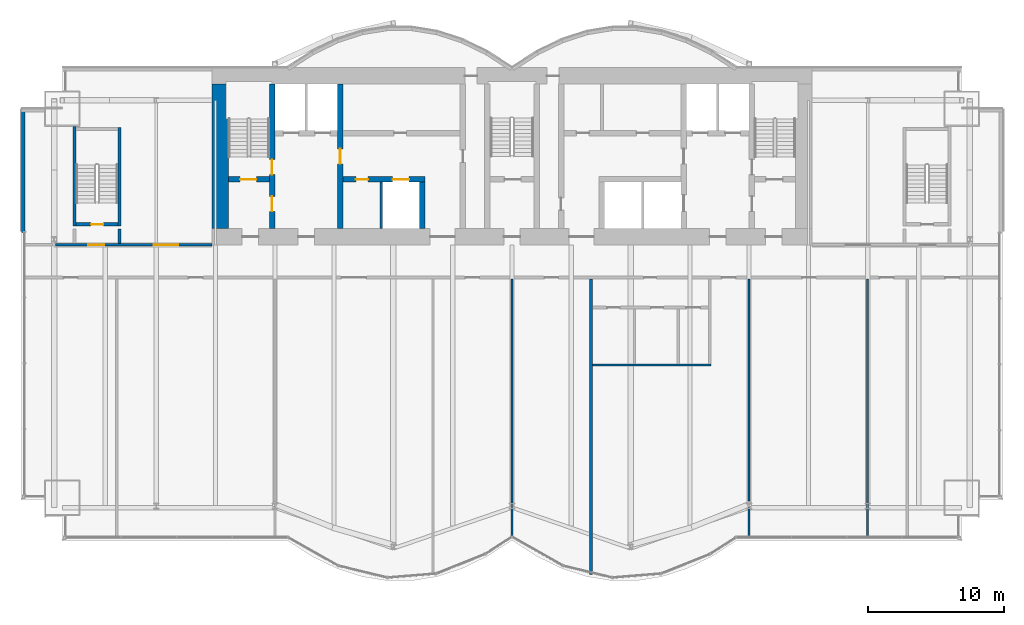
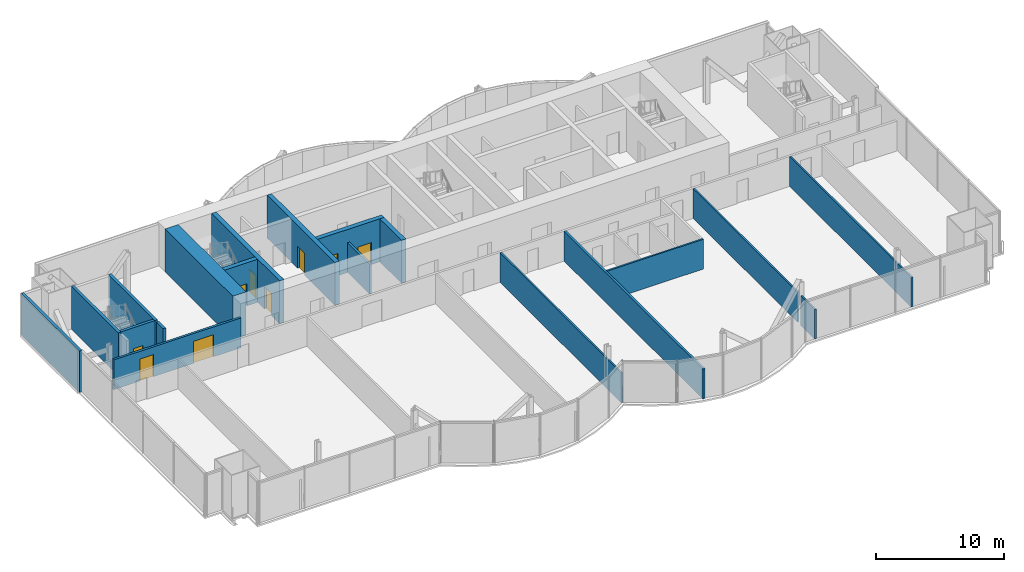
# One storey, part 15 of 21: 19 walls, 9 doors, 9 openings.
"""IFC4 building model written with IfcOpenShell, lengths in metres."""

from ifc_helpers import new_model, si_unit, direction, frame, frame_2d, origin, place, context, subcontext, project, spatial, rectangle, extrude, material, layer, layer_set, layer_usage, type_object, element, fill, save


model = new_model("IFC4")

# Units and contexts
model_context = context("Model", 3, precision=1e-05, world=origin(), true_north=direction((0.0, 1.0)))
body_context = subcontext(model_context, "Body", "Model", "MODEL_VIEW")
ifc_project = project(units=[si_unit("LENGTHUNIT", "METRE"), si_unit("AREAUNIT", "SQUARE_METRE"), si_unit("VOLUMEUNIT", "CUBIC_METRE"), si_unit("PLANEANGLEUNIT", "RADIAN"), si_unit("MASSUNIT", "GRAM", prefix="KILO")], contexts=[model_context])

# Site, building, storey
site_placement = place(None, origin())
site = spatial("IfcSite", under=ifc_project, at=site_placement, CompositionType="ELEMENT")
building_placement = place(site_placement, origin())
building = spatial("IfcBuilding", under=site, at=building_placement, Name="Bicima Exchange Tower", CompositionType="ELEMENT")
storey_placement = place(building_placement, frame((0.0, 0.0, 165.0)))
storey = spatial("IfcBuildingStorey", under=building, at=storey_placement, Name="L36", CompositionType="ELEMENT", Elevation=165.0)

# Wall
ifc_material_1 = material(Name="Gypsum board partition")
ifc_layer_1 = layer(ifc_material_1, 0.199951171875)
ifc_layer_set_1 = layer_set([ifc_layer_1], Name="Gypsum board partition")
wall_type_1 = type_object("IfcWallType", Name="Fire-rated gypsum partition 200 EI120", PredefinedType="PARTITIONING", material=ifc_layer_set_1)
wall_1_placement = place(storey_placement, frame((-9.60009765625, -11.800048828125, 0.0), z_axis=(0.0, 0.0, 1.0), x_axis=(0.0, 1.0, 0.0)))
element("IfcWall", 1, at=wall_1_placement, inside=storey, type_object=wall_type_1, Name="partition wall 11", PredefinedType="PARTITIONING", context=body_context, shape_type="SweptSolid", body=[
    extrude(rectangle(XDim=3.400146484375, YDim=0.199951171875, at=frame_2d((1.7001953125, 0.0))), origin(), (0.0, 0.0, 1.0), 2.84033203125),
])

# Wall, openings, doors
ifc_layer_2 = layer(ifc_material_1, 0.199951171875)
ifc_layer_set_2 = layer_set([ifc_layer_2], Name="Gypsum board partition")
wall_type_2 = type_object("IfcWallType", Name="Fire-rated gypsum partition 200 EI60", PredefinedType="PARTITIONING", material=ifc_layer_set_2)
wall_2_placement = place(storey_placement, frame((-33.47998046875, -13.0, 0.0), z_axis=(0.0, 0.0, 1.0), x_axis=(1.0, 0.0, 0.0)))
wall_2 = element("IfcWall", 2, at=wall_2_placement, inside=storey, type_object=wall_type_2, Name="partition wall 5", PredefinedType="PARTITIONING", context=body_context, shape_type="SweptSolid", body=[
    extrude(rectangle(XDim=11.47998046875, YDim=0.199951171875, at=frame_2d((5.739990234375, 0.0))), origin(), (0.0, 0.0, 1.0), 2.84033203125),
])
opening_1_placement = place(wall_2_placement, frame((2.3798828125, 0.0, 0.0)))
opening_1 = element("IfcOpeningElement", 3, at=opening_1_placement, cuts=wall_2, Name="Opening L36-001", PredefinedType="OPENING", context=body_context, shape_type="SweptSolid", body=[
    extrude(rectangle(XDim=1.199951171875, YDim=2.10009765625, at=frame_2d((0.60009765625, 1.050048828125))), frame((0.0, 0.11181640625, 0.0), z_axis=(0.0, -1.0, 0.0), x_axis=(1.0, 0.0, 0.0)), (0.0, 0.0, 1.0), 0.223876953125),
])
opening_2_placement = place(wall_2_placement, frame((7.179931640625, 0.0, 0.0)))
opening_2 = element("IfcOpeningElement", 4, at=opening_2_placement, cuts=wall_2, Name="Opening L36-005", PredefinedType="OPENING", context=body_context, shape_type="SweptSolid", body=[
    extrude(rectangle(XDim=1.800048828125, YDim=2.10009765625, at=frame_2d((0.89990234375, 1.050048828125))), frame((0.0, 0.11181640625, 0.0), z_axis=(0.0, -1.0, 0.0), x_axis=(1.0, 0.0, 0.0)), (0.0, 0.0, 1.0), 0.223876953125),
])
ifc_material_2 = material(Name="Steel fire door leaf", Category="steel")
door_type_1 = type_object("IfcDoorType", Name="Door 1200 swing FD30S", OperationType="SINGLE_SWING_LEFT", PredefinedType="DOOR", material=ifc_material_2)
door_1_placement = place(opening_1_placement, origin())
door_1 = element("IfcDoor", 5, at=door_1_placement, inside=storey, type_object=door_type_1, Name="Door", OperationType="SINGLE_SWING_LEFT", OverallHeight=2.10009765625, OverallWidth=1.199951171875, PredefinedType="DOOR", context=body_context, shape_type="SweptSolid", body=[
    extrude(rectangle(XDim=1.199951171875, YDim=2.10009765625, at=frame_2d((0.60009765625, 1.050048828125))), frame((0.0, 0.02490234375, 0.0), z_axis=(0.0, -1.0, 0.0), x_axis=(1.0, 0.0, 0.0)), (0.0, 0.0, 1.0), 0.050048828125),
])
fill(opening_1, door_1)
door_type_2 = type_object("IfcDoorType", Name="Door 1800 double swing FD30S", OperationType="DOUBLE_DOOR_SINGLE_SWING", PredefinedType="DOOR", material=ifc_material_2)
door_2_placement = place(opening_2_placement, origin())
door_2 = element("IfcDoor", 6, at=door_2_placement, inside=storey, type_object=door_type_2, Name="Door", OperationType="SINGLE_SWING_LEFT", OverallHeight=2.10009765625, OverallWidth=1.800048828125, PredefinedType="DOOR", context=body_context, shape_type="SweptSolid", body=[
    extrude(rectangle(XDim=1.800048828125, YDim=2.10009765625, at=frame_2d((0.89990234375, 1.050048828125))), frame((0.0, 0.02490234375, 0.0), z_axis=(0.0, -1.0, 0.0), x_axis=(1.0, 0.0, 0.0)), (0.0, 0.0, 1.0), 0.050048828125),
])
fill(opening_2, door_2)

# Walls
wall_3_placement = place(storey_placement, frame((5.800048828125, -37.179931640625, 0.0), z_axis=(0.0, 0.0, 1.0), x_axis=(0.0, 1.0, 0.0)))
element("IfcWall", 7, at=wall_3_placement, inside=storey, type_object=wall_type_2, Name="partition wall 19", PredefinedType="PARTITIONING", context=body_context, shape_type="SweptSolid", body=[
    extrude(rectangle(XDim=21.679931640625, YDim=0.199951171875, at=frame_2d((10.83984375, 0.0))), origin(), (0.0, 0.0, 1.0), 2.84033203125),
])
ifc_layer_3 = layer(ifc_material_1, 0.14990234375)
ifc_layer_set_3 = layer_set([ifc_layer_3], Name="Gypsum board partition")
wall_type_3 = type_object("IfcWallType", Name="Gypsum partition 150", PredefinedType="PARTITIONING", material=ifc_layer_set_3)
wall_4_placement = place(storey_placement, frame((5.89990234375, -21.800048828125, 0.0), z_axis=(0.0, 0.0, 1.0), x_axis=(1.0, 0.0, 0.0)))
element("IfcWall", 8, at=wall_4_placement, inside=storey, type_object=wall_type_3, Name="partition wall 1", PredefinedType="PARTITIONING", context=body_context, shape_type="SweptSolid", body=[
    extrude(rectangle(XDim=8.7001953125, YDim=0.14990234375, at=frame_2d((4.35009765625, 0.0))), origin(), (0.0, 0.0, 1.0), 2.84033203125),
])
wall_5_placement = place(storey_placement, frame((0.0, -34.429931640625, 0.0), z_axis=(0.0, 0.0, 1.0), x_axis=(0.0, 1.0, 0.0)))
element("IfcWall", 9, at=wall_5_placement, inside=storey, type_object=wall_type_3, Name="partition wall 18", PredefinedType="PARTITIONING", context=body_context, shape_type="SweptSolid", body=[
    extrude(rectangle(XDim=18.929931640625, YDim=0.14990234375, at=frame_2d((9.46484375, 0.0))), origin(), (0.0, 0.0, 1.0), 2.84033203125),
])
wall_6_placement = place(storey_placement, frame((17.39990234375, -34.469970703125, 0.0), z_axis=(0.0, 0.0, 1.0), x_axis=(0.0, 1.0, 0.0)))
element("IfcWall", 10, at=wall_6_placement, inside=storey, type_object=wall_type_3, Name="partition wall 23", PredefinedType="PARTITIONING", context=body_context, shape_type="SweptSolid", body=[
    extrude(rectangle(XDim=2.190185546875, YDim=0.14990234375, at=frame_2d((1.09521484375, 0.0))), origin(), (0.0, 0.0, 1.0), 2.84033203125),
])
wall_7_placement = place(storey_placement, frame((17.39990234375, -31.7919921875, 0.0), z_axis=(0.0, 0.0, 1.0), x_axis=(0.0, 1.0, 0.0)))
element("IfcWall", 11, at=wall_7_placement, inside=storey, type_object=wall_type_3, Name="partition wall 24", PredefinedType="PARTITIONING", context=body_context, shape_type="SweptSolid", body=[
    extrude(rectangle(XDim=16.2919921875, YDim=0.14990234375, at=frame_2d((8.14599609375, 0.0))), origin(), (0.0, 0.0, 1.0), 2.84033203125),
])
wall_8_placement = place(storey_placement, frame((26.10009765625, -34.469970703125, 0.0), z_axis=(0.0, 0.0, 1.0), x_axis=(0.0, 1.0, 0.0)))
element("IfcWall", 12, at=wall_8_placement, inside=storey, type_object=wall_type_3, Name="partition wall 25", PredefinedType="PARTITIONING", context=body_context, shape_type="SweptSolid", body=[
    extrude(rectangle(XDim=18.969970703125, YDim=0.14990234375, at=frame_2d((9.48486328125, 0.0))), origin(), (0.0, 0.0, 1.0), 2.84033203125),
])
ifc_material_3 = material(Name="Concrete C50/60", Category="concrete")
ifc_layer_4 = layer(ifc_material_3, 1.199951171875)
ifc_layer_set_4 = layer_set([ifc_layer_4], Name="Concrete C50/60")
wall_type_4 = type_object("IfcWallType", Name="RC core wall 1200 C50/60", PredefinedType="SHEAR", material=ifc_layer_set_4)
wall_9_placement = place(storey_placement, frame((-21.39990234375, -11.800048828125, 0.0), z_axis=(0.0, 0.0, 1.0), x_axis=(0.0, 1.0, 0.0)))
element("IfcWall", 13, at=wall_9_placement, inside=storey, type_object=wall_type_4, Name="Core wall west", PredefinedType="SHEAR", context=body_context, shape_type="SweptSolid", body=[
    extrude(rectangle(XDim=10.60009765625, YDim=1.199951171875, at=frame_2d((5.300048828125, 0.0))), origin(), (0.0, 0.0, 1.0), 4.10009765625),
])
ifc_layer_5 = layer(ifc_material_3, 0.25)
ifc_layer_set_5 = layer_set([ifc_layer_5], Name="Concrete C50/60")
wall_type_5 = type_object("IfcWallType", Name="RC core wall 250 C50/60", PredefinedType="SHEAR", material=ifc_layer_set_5)
wall_10_placement = place(storey_placement, frame((-28.800048828125, -12.89990234375, 0.0), z_axis=(0.0, 0.0, 1.0), x_axis=(0.0, 1.0, 0.0)))
element("IfcWall", 14, at=wall_10_placement, inside=storey, type_object=wall_type_5, Name="stair wall 14", PredefinedType="SHEAR", context=body_context, shape_type="SweptSolid", body=[
    extrude(rectangle(XDim=1.0498046875, YDim=0.25, at=frame_2d((0.52490234375, 0.0))), origin(), (0.0, 0.0, 1.0), 4.10009765625),
])

# Wall, opening, door
ifc_layer_6 = layer(ifc_material_3, 0.39990234375)
ifc_layer_set_6 = layer_set([ifc_layer_6], Name="Concrete C50/60")
wall_type_6 = type_object("IfcWallType", Name="RC core wall 400 C50/60", PredefinedType="SHEAR", material=ifc_layer_set_6)
wall_11_placement = place(storey_placement, frame((-20.800048828125, -8.199951171875, 0.0), z_axis=(0.0, 0.0, 1.0), x_axis=(1.0, 0.0, 0.0)))
wall_11 = element("IfcWall", 15, at=wall_11_placement, inside=storey, type_object=wall_type_6, Name="stair wall 1", PredefinedType="SHEAR", context=body_context, shape_type="SweptSolid", body=[
    extrude(rectangle(XDim=3.0, YDim=0.39990234375, at=frame_2d((1.5, 0.0))), origin(), (0.0, 0.0, 1.0), 4.10009765625),
])
opening_3_placement = place(wall_11_placement, frame((0.85009765625, 0.0, 0.0)))
opening_3 = element("IfcOpeningElement", 16, at=opening_3_placement, cuts=wall_11, Name="Opening L36-C01", PredefinedType="OPENING", context=body_context, shape_type="SweptSolid", body=[
    extrude(rectangle(XDim=1.199951171875, YDim=2.10009765625, at=frame_2d((0.60009765625, 1.050048828125))), frame((0.0, 0.2119140625, 0.0), z_axis=(0.0, -1.0, 0.0), x_axis=(1.0, 0.0, 0.0)), (0.0, 0.0, 1.0), 0.423828125),
])
door_type_3 = type_object("IfcDoorType", Name="Door 1200 swing FD60S", OperationType="SINGLE_SWING_LEFT", PredefinedType="DOOR", material=ifc_material_2)
door_3_placement = place(opening_3_placement, origin())
door_3 = element("IfcDoor", 17, at=door_3_placement, inside=storey, type_object=door_type_3, Name="Core door", OperationType="SINGLE_SWING_LEFT", OverallHeight=2.10009765625, OverallWidth=1.199951171875, PredefinedType="DOOR", context=body_context, shape_type="SweptSolid", body=[
    extrude(rectangle(XDim=1.199951171875, YDim=2.10009765625, at=frame_2d((0.60009765625, 1.050048828125))), frame((0.0, 0.02490234375, 0.0), z_axis=(0.0, -1.0, 0.0), x_axis=(1.0, 0.0, 0.0)), (0.0, 0.0, 1.0), 0.050048828125),
])
fill(opening_3, door_3)

# Wall, openings, doors
wall_12_placement = place(storey_placement, frame((-12.39990234375, -8.199951171875, 0.0), z_axis=(0.0, 0.0, 1.0), x_axis=(1.0, 0.0, 0.0)))
wall_12 = element("IfcWall", 18, at=wall_12_placement, inside=storey, type_object=wall_type_6, Name="shear wall 2", PredefinedType="SHEAR", context=body_context, shape_type="SweptSolid", body=[
    extrude(rectangle(XDim=6.0, YDim=0.39990234375, at=frame_2d((3.0, 0.0))), origin(), (0.0, 0.0, 1.0), 4.10009765625),
])
opening_4_placement = place(wall_12_placement, frame((3.64990234375, 0.0, 0.0)))
opening_4 = element("IfcOpeningElement", 19, at=opening_4_placement, cuts=wall_12, Name="Opening LD-MB1-L36", PredefinedType="OPENING", context=body_context, shape_type="SweptSolid", body=[
    extrude(rectangle(XDim=1.199951171875, YDim=2.10009765625, at=frame_2d((0.60009765625, 1.050048828125))), frame((0.0, 0.2119140625, 0.0), z_axis=(0.0, -1.0, 0.0), x_axis=(1.0, 0.0, 0.0)), (0.0, 0.0, 1.0), 0.423828125),
])
opening_5_placement = place(wall_12_placement, frame((0.949951171875, 0.0, 0.0)))
opening_5 = element("IfcOpeningElement", 20, at=opening_5_placement, cuts=wall_12, Name="Opening L36-C15", PredefinedType="OPENING", context=body_context, shape_type="SweptSolid", body=[
    extrude(rectangle(XDim=0.89990234375, YDim=2.10009765625, at=frame_2d((0.449951171875, 1.050048828125))), frame((0.0, 0.2119140625, 0.0), z_axis=(0.0, -1.0, 0.0), x_axis=(1.0, 0.0, 0.0)), (0.0, 0.0, 1.0), 0.423828125),
])
door_type_4 = type_object("IfcDoorType", Name="Door 900 swing FD30S", OperationType="SINGLE_SWING_LEFT", PredefinedType="DOOR", material=ifc_material_2)
door_4_placement = place(opening_5_placement, frame((0.89990234375, 0.0, 0.0), z_axis=(0.0, 0.0, 1.0), x_axis=(-1.0, 0.0, 0.0)))
door_4 = element("IfcDoor", 21, at=door_4_placement, inside=storey, type_object=door_type_4, Name="Core door", OperationType="SINGLE_SWING_RIGHT", OverallHeight=2.10009765625, OverallWidth=0.89990234375, PredefinedType="DOOR", context=body_context, shape_type="SweptSolid", body=[
    extrude(rectangle(XDim=0.89990234375, YDim=2.10009765625, at=frame_2d((0.449951171875, 1.050048828125))), frame((0.0, 0.02490234375, 0.0), z_axis=(0.0, -1.0, 0.0), x_axis=(1.0, 0.0, 0.0)), (0.0, 0.0, 1.0), 0.050048828125),
])
fill(opening_5, door_4)
ifc_material_4 = material(Name="Stainless steel", Category="steel")
door_type_5 = type_object("IfcDoorType", Name="Lift landing door 1200 sliding", OperationType="DOUBLE_DOOR_SLIDING", PredefinedType="DOOR", material=ifc_material_4)
door_5_placement = place(opening_4_placement, origin())
door_5 = element("IfcDoor", 22, at=door_5_placement, inside=storey, type_object=door_type_5, Name="Lift landing door MB1", OperationType="DOUBLE_DOOR_SLIDING", OverallHeight=2.10009765625, OverallWidth=1.199951171875, PredefinedType="DOOR", context=body_context, shape_type="SweptSolid", body=[
    extrude(rectangle(XDim=1.199951171875, YDim=2.10009765625, at=frame_2d((0.60009765625, 1.050048828125))), frame((0.0, 0.02490234375, 0.0), z_axis=(0.0, -1.0, 0.0), x_axis=(1.0, 0.0, 0.0)), (0.0, 0.0, 1.0), 0.050048828125),
])
fill(opening_4, door_5)

wall_13_placement = place(storey_placement, frame((-17.60009765625, -11.800048828125, 0.0), z_axis=(0.0, 0.0, 1.0), x_axis=(0.0, 1.0, 0.0)))
wall_13 = element("IfcWall", 23, at=wall_13_placement, inside=storey, type_object=wall_type_6, Name="stair wall 8", PredefinedType="SHEAR", context=body_context, shape_type="SweptSolid", body=[
    extrude(rectangle(XDim=10.60009765625, YDim=0.39990234375, at=frame_2d((5.300048828125, 0.0))), origin(), (0.0, 0.0, 1.0), 4.10009765625),
])
opening_6_placement = place(wall_13_placement, frame((1.25, 0.0, 0.0)))
opening_6 = element("IfcOpeningElement", 24, at=opening_6_placement, cuts=wall_13, Name="Opening L36-C02", PredefinedType="OPENING", context=body_context, shape_type="SweptSolid", body=[
    extrude(rectangle(XDim=1.10009765625, YDim=2.10009765625, at=frame_2d((0.550048828125, 1.050048828125))), frame((0.0, 0.2119140625, 0.0), z_axis=(0.0, -1.0, 0.0), x_axis=(1.0, 0.0, 0.0)), (0.0, 0.0, 1.0), 0.423828125),
])
opening_7_placement = place(wall_13_placement, frame((3.949951171875, 0.0, 0.0)))
opening_7 = element("IfcOpeningElement", 25, at=opening_7_placement, cuts=wall_13, Name="Opening L36-C06", PredefinedType="OPENING", context=body_context, shape_type="SweptSolid", body=[
    extrude(rectangle(XDim=1.10009765625, YDim=2.10009765625, at=frame_2d((0.550048828125, 1.050048828125))), frame((0.0, 0.2119140625, 0.0), z_axis=(0.0, -1.0, 0.0), x_axis=(1.0, 0.0, 0.0)), (0.0, 0.0, 1.0), 0.423828125),
])
door_type_6 = type_object("IfcDoorType", Name="Door 1100 swing FD60S", OperationType="SINGLE_SWING_LEFT", PredefinedType="DOOR", material=ifc_material_2)
door_6_placement = place(opening_6_placement, frame((1.10009765625, 0.0, 0.0), z_axis=(0.0, 0.0, 1.0), x_axis=(-1.0, 0.0, 0.0)))
door_6 = element("IfcDoor", 26, at=door_6_placement, inside=storey, type_object=door_type_6, Name="Core door", OperationType="SINGLE_SWING_LEFT", OverallHeight=2.10009765625, OverallWidth=1.10009765625, PredefinedType="DOOR", context=body_context, shape_type="SweptSolid", body=[
    extrude(rectangle(XDim=1.10009765625, YDim=2.10009765625, at=frame_2d((0.550048828125, 1.050048828125))), frame((0.0, 0.02490234375, 0.0), z_axis=(0.0, -1.0, 0.0), x_axis=(1.0, 0.0, 0.0)), (0.0, 0.0, 1.0), 0.050048828125),
])
fill(opening_6, door_6)
door_7_placement = place(opening_7_placement, frame((1.10009765625, 0.0, 0.0), z_axis=(0.0, 0.0, 1.0), x_axis=(-1.0, 0.0, 0.0)))
door_7 = element("IfcDoor", 27, at=door_7_placement, inside=storey, type_object=door_type_6, Name="Core door", OperationType="SINGLE_SWING_LEFT", OverallHeight=2.10009765625, OverallWidth=1.10009765625, PredefinedType="DOOR", context=body_context, shape_type="SweptSolid", body=[
    extrude(rectangle(XDim=1.10009765625, YDim=2.10009765625, at=frame_2d((0.550048828125, 1.050048828125))), frame((0.0, 0.02490234375, 0.0), z_axis=(0.0, -1.0, 0.0), x_axis=(1.0, 0.0, 0.0)), (0.0, 0.0, 1.0), 0.050048828125),
])
fill(opening_7, door_7)

# Wall, opening, door
wall_14_placement = place(storey_placement, frame((-12.60009765625, -11.800048828125, 0.0), z_axis=(0.0, 0.0, 1.0), x_axis=(0.0, 1.0, 0.0)))
wall_14 = element("IfcWall", 28, at=wall_14_placement, inside=storey, type_object=wall_type_6, Name="shear wall 10", PredefinedType="SHEAR", context=body_context, shape_type="SweptSolid", body=[
    extrude(rectangle(XDim=10.60009765625, YDim=0.39990234375, at=frame_2d((5.300048828125, 0.0))), origin(), (0.0, 0.0, 1.0), 4.10009765625),
])
opening_8_placement = place(wall_14_placement, frame((4.75, 0.0, 0.0)))
opening_8 = element("IfcOpeningElement", 29, at=opening_8_placement, cuts=wall_14, Name="Opening L36-C07", PredefinedType="OPENING", context=body_context, shape_type="SweptSolid", body=[
    extrude(rectangle(XDim=1.10009765625, YDim=2.10009765625, at=frame_2d((0.550048828125, 1.050048828125))), frame((0.0, 0.2119140625, 0.0), z_axis=(0.0, -1.0, 0.0), x_axis=(1.0, 0.0, 0.0)), (0.0, 0.0, 1.0), 0.423828125),
])
door_8_placement = place(opening_8_placement, origin())
door_8 = element("IfcDoor", 30, at=door_8_placement, inside=storey, type_object=door_type_6, Name="Core door", OperationType="SINGLE_SWING_LEFT", OverallHeight=2.10009765625, OverallWidth=1.10009765625, PredefinedType="DOOR", context=body_context, shape_type="SweptSolid", body=[
    extrude(rectangle(XDim=1.10009765625, YDim=2.10009765625, at=frame_2d((0.550048828125, 1.050048828125))), frame((0.0, 0.02490234375, 0.0), z_axis=(0.0, -1.0, 0.0), x_axis=(1.0, 0.0, 0.0)), (0.0, 0.0, 1.0), 0.050048828125),
])
fill(opening_8, door_8)

# Walls
wall_15_placement = place(storey_placement, frame((-6.60009765625, -11.800048828125, 0.0), z_axis=(0.0, 0.0, 1.0), x_axis=(0.0, 1.0, 0.0)))
element("IfcWall", 31, at=wall_15_placement, inside=storey, type_object=wall_type_6, Name="shear wall 12", PredefinedType="SHEAR", context=body_context, shape_type="SweptSolid", body=[
    extrude(rectangle(XDim=3.400146484375, YDim=0.39990234375, at=frame_2d((1.7001953125, 0.0))), origin(), (0.0, 0.0, 1.0), 4.10009765625),
])
ifc_layer_7 = layer(ifc_material_3, 0.25)
ifc_layer_set_7 = layer_set([ifc_layer_7], Name="Concrete C50/60")
wall_type_7 = type_object("IfcWallType", Name="RC stair enclosure wall 250 C50/60", PredefinedType="SHEAR", material=ifc_layer_set_7)
wall_16_placement = place(storey_placement, frame((-32.10009765625, -11.625, 0.0), z_axis=(0.0, 0.0, 1.0), x_axis=(0.0, 1.0, 0.0)))
element("IfcWall", 32, at=wall_16_placement, inside=storey, type_object=wall_type_7, Name="West end exit stair wall W", PredefinedType="SHEAR", context=body_context, shape_type="SweptSolid", body=[
    extrude(rectangle(XDim=7.324951171875, YDim=0.25, at=frame_2d((3.66259765625, 0.0))), origin(), (0.0, 0.0, 1.0), 4.10009765625),
])
wall_17_placement = place(storey_placement, frame((-28.800048828125, -11.625, 0.0), z_axis=(0.0, 0.0, 1.0), x_axis=(0.0, 1.0, 0.0)))
element("IfcWall", 33, at=wall_17_placement, inside=storey, type_object=wall_type_7, Name="West end exit stair wall E", PredefinedType="SHEAR", context=body_context, shape_type="SweptSolid", body=[
    extrude(rectangle(XDim=7.25, YDim=0.25, at=frame_2d((3.625, 0.0))), origin(), (0.0, 0.0, 1.0), 4.10009765625),
])

# Wall, opening, door
wall_18_placement = place(storey_placement, frame((-31.97509765625, -11.5, 0.0), z_axis=(0.0, 0.0, 1.0), x_axis=(1.0, 0.0, 0.0)))
wall_18 = element("IfcWall", 34, at=wall_18_placement, inside=storey, type_object=wall_type_7, Name="West end exit stair wall S", PredefinedType="SHEAR", context=body_context, shape_type="SweptSolid", body=[
    extrude(rectangle(XDim=3.050048828125, YDim=0.25, at=frame_2d((1.52490234375, 0.0))), origin(), (0.0, 0.0, 1.0), 4.10009765625),
])
opening_9_placement = place(wall_18_placement, frame((1.10009765625, 0.0, 0.0)))
opening_9 = element("IfcOpeningElement", 35, at=opening_9_placement, cuts=wall_18, Name="Opening L36-002", PredefinedType="OPENING", context=body_context, shape_type="SweptSolid", body=[
    extrude(rectangle(XDim=0.89990234375, YDim=2.10009765625, at=frame_2d((0.449951171875, 1.050048828125))), frame((0.0, 0.136962890625, 0.0), z_axis=(0.0, -1.0, 0.0), x_axis=(1.0, 0.0, 0.0)), (0.0, 0.0, 1.0), 0.27392578125),
])
door_type_7 = type_object("IfcDoorType", Name="Door 900 swing FD60S", OperationType="SINGLE_SWING_LEFT", PredefinedType="DOOR", material=ifc_material_2)
door_9_placement = place(opening_9_placement, origin())
door_9 = element("IfcDoor", 36, at=door_9_placement, inside=storey, type_object=door_type_7, Name="Door", OperationType="SINGLE_SWING_LEFT", OverallHeight=2.10009765625, OverallWidth=0.89990234375, PredefinedType="DOOR", context=body_context, shape_type="SweptSolid", body=[
    extrude(rectangle(XDim=0.89990234375, YDim=2.10009765625, at=frame_2d((0.449951171875, 1.050048828125))), frame((0.0, 0.02490234375, 0.0), z_axis=(0.0, -1.0, 0.0), x_axis=(1.0, 0.0, 0.0)), (0.0, 0.0, 1.0), 0.050048828125),
])
fill(opening_9, door_9)

# Wall
ifc_material_5 = material(Name="Concrete C40/50", Category="concrete")
ifc_layer_8 = layer(ifc_material_5, 0.25)
ifc_layer_set_8 = layer_set([ifc_layer_8], Name="Concrete C40/50")
ifc_layer_usage = layer_usage(ifc_layer_set_8, "AXIS2", "POSITIVE", -0.125)
wall_type_8 = type_object("IfcWallType", Name="Rear backup wall 250", PredefinedType="STANDARD", material=ifc_layer_set_8)
wall_19_placement = place(storey_placement, frame((-35.875, -3.0, 0.0), z_axis=(0.0, 0.0, 1.0), x_axis=(0.0, -1.0, 0.0)))
element("IfcWall", 37, at=wall_19_placement, inside=storey, type_object=wall_type_8, material=ifc_layer_usage, Name="Rear backup wall L36 23", PredefinedType="STANDARD", context=body_context, shape_type="SweptSolid", body=[
    extrude(rectangle(XDim=9.090087890625, YDim=0.25, at=frame_2d((4.544921875, 0.0))), origin(), (0.0, 0.0, 1.0), 3.949951171875),
])

save(model, "model.ifc")
